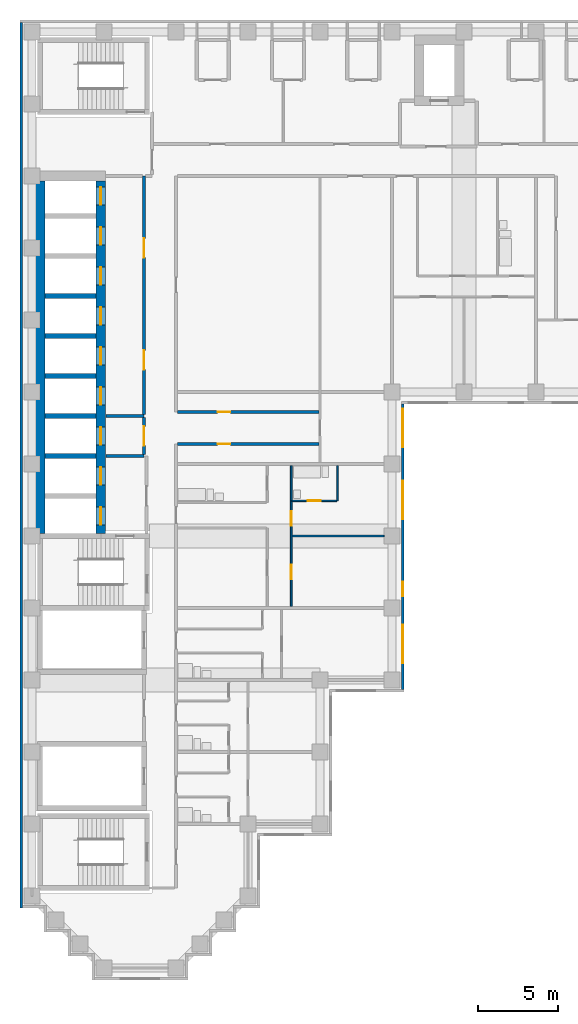
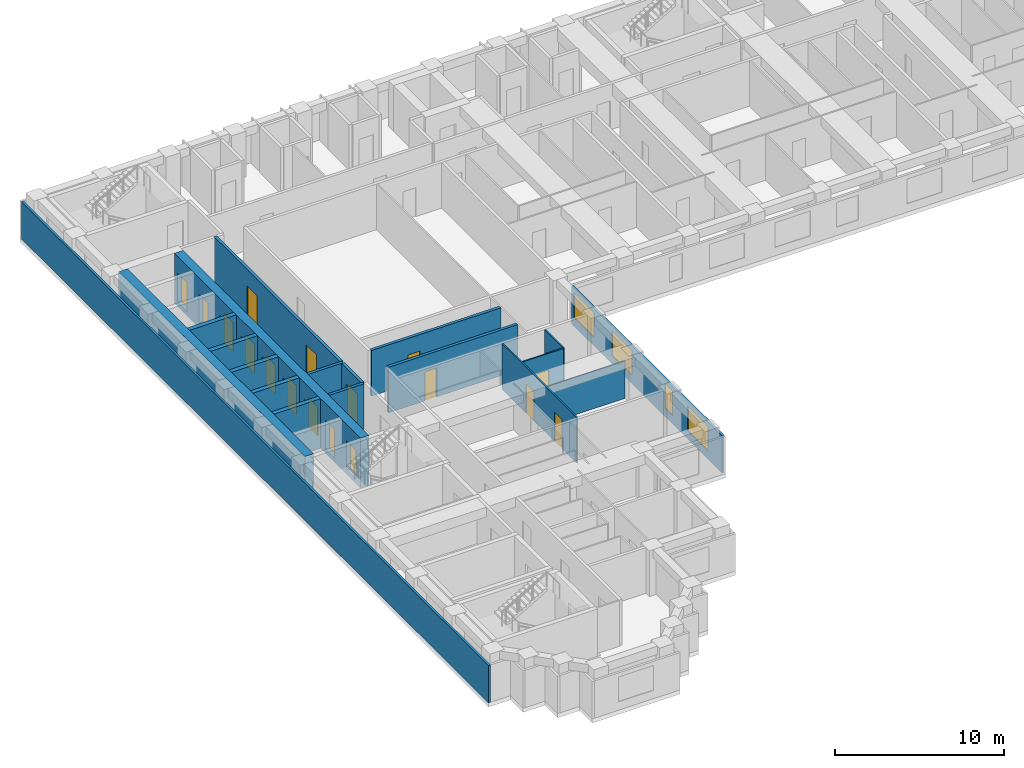
# One storey, part 4 of 12: 19 walls, 17 doors, 4 windows, 21 openings.
"""IFC4 building model written with IfcOpenShell, lengths in metres."""

from ifc_helpers import new_model, si_unit, direction, frame, frame_2d, origin, place, context, subcontext, project, spatial, rectangle, extrude, material, layer, layer_set, type_object, element, fill, save


model = new_model("IFC4")

# Units and contexts
model_context = context("Model", 3, precision=1e-05, world=origin(), true_north=direction((0.0, 1.0)))
body_context = subcontext(model_context, "Body", "Model", "MODEL_VIEW")
ifc_project = project(units=[si_unit("LENGTHUNIT", "METRE"), si_unit("AREAUNIT", "SQUARE_METRE"), si_unit("VOLUMEUNIT", "CUBIC_METRE"), si_unit("PLANEANGLEUNIT", "RADIAN"), si_unit("MASSUNIT", "GRAM", prefix="KILO")], contexts=[model_context])

# Site, building, storey
site_placement = place(None, origin())
site = spatial("IfcSite", under=ifc_project, at=site_placement, CompositionType="ELEMENT")
building_placement = place(site_placement, origin())
building = spatial("IfcBuilding", under=site, at=building_placement, Name="Firuza Court", CompositionType="ELEMENT")
storey_placement = place(building_placement, frame((0.0, 0.0, 148.39990234375)))
storey = spatial("IfcBuildingStorey", under=building, at=storey_placement, Name="L37", CompositionType="ELEMENT", Elevation=148.39990234375)

# Wall, opening, door
ifc_material_1 = material(Name="Moisture-resistant gypsum board partition")
ifc_layer_1 = layer(ifc_material_1, 0.10009765625)
ifc_layer_set_1 = layer_set([ifc_layer_1], Name="Moisture-resistant gypsum board partition")
wall_type_1 = type_object("IfcWallType", Name="Bathroom partition 100", PredefinedType="PLUMBINGWALL", material=ifc_layer_set_1)
wall_1_placement = place(storey_placement, frame((16.25, 29.199951171875, 0.0), z_axis=(0.0, 0.0, 1.0), x_axis=(1.0, 0.0, 0.0)))
wall_1 = element("IfcWall", 1, at=wall_1_placement, inside=storey, type_object=wall_type_1, Name="Bathroom partition 100 L37", PredefinedType="PLUMBINGWALL", context=body_context, shape_type="SweptSolid", body=[
    extrude(rectangle(XDim=2.800048828125, YDim=0.10009765625, at=frame_2d((1.39990234375, 0.0))), origin(), (0.0, 0.0, 1.0), 3.300048828125),
])
opening_1_placement = place(wall_1_placement, frame((1.0, 0.0, 0.0)))
opening_1 = element("IfcOpeningElement", 2, at=opening_1_placement, cuts=wall_1, Name="Opening D37037", PredefinedType="OPENING", context=body_context, shape_type="SweptSolid", body=[
    extrude(rectangle(XDim=0.800048828125, YDim=2.10009765625, at=frame_2d((0.39990234375, 1.050048828125))), frame((0.0, 0.06201171875, 0.0), z_axis=(0.0, -1.0, 0.0), x_axis=(1.0, 0.0, 0.0)), (0.0, 0.0, 1.0), 0.1240234375),
])
ifc_material_2 = material(Name="Timber door leaf in hardwood frame", Category="wood")
door_type_1 = type_object("IfcDoorType", Name="Bathroom door 800", OperationType="SINGLE_SWING_LEFT", PredefinedType="DOOR", material=ifc_material_2)
door_1_placement = place(opening_1_placement, origin())
door_1 = element("IfcDoor", 3, at=door_1_placement, inside=storey, type_object=door_type_1, Name="En-suite door", OperationType="SINGLE_SWING_LEFT", OverallHeight=2.10009765625, OverallWidth=0.800048828125, PredefinedType="DOOR", context=body_context, shape_type="SweptSolid", body=[
    extrude(rectangle(XDim=0.800048828125, YDim=2.10009765625, at=frame_2d((0.39990234375, 1.050048828125))), frame((0.0, 0.02490234375, 0.0), z_axis=(0.0, -1.0, 0.0), x_axis=(1.0, 0.0, 0.0)), (0.0, 0.0, 1.0), 0.050048828125),
])
fill(opening_1, door_1)

# Walls
wall_2_placement = place(storey_placement, frame((19.10009765625, 29.199951171875, 0.0), z_axis=(0.0, 0.0, 1.0), x_axis=(0.0, 1.0, 0.0)))
element("IfcWall", 4, at=wall_2_placement, inside=storey, type_object=wall_type_1, Name="Bathroom partition 100 L37", PredefinedType="PLUMBINGWALL", context=body_context, shape_type="SweptSolid", body=[
    extrude(rectangle(XDim=2.199951171875, YDim=0.10009765625, at=frame_2d((1.10009765625, 0.0))), origin(), (0.0, 0.0, 1.0), 3.300048828125),
])
ifc_material_3 = material(Name="Concrete C60/75", Category="concrete")
ifc_layer_2 = layer(ifc_material_3, 0.300048828125)
ifc_layer_set_2 = layer_set([ifc_layer_2], Name="Concrete C60/75")
wall_type_2 = type_object("IfcWallType", Name="Core wall 300 C60/75", PredefinedType="SHEAR", material=ifc_layer_set_2)
for number, where, z_axis, x_axis, name in (
    (5, (0.800048828125, 32.0, -0.2998046875), (0.0, 0.0, 1.0), (1.0, 0.0, 0.0), "Core wall lift shaft L37"),
    (6, (0.800048828125, 34.5, -0.2998046875), (0.0, 0.0, 1.0), (1.0, 0.0, 0.0), "Core wall lift shaft L37"),
    (7, (0.800048828125, 37.0, -0.2998046875), (0.0, 0.0, 1.0), (1.0, 0.0, 0.0), "Core wall lift shaft L37"),
    (8, (0.800048828125, 39.5, -0.2998046875), (0.0, 0.0, 1.0), (1.0, 0.0, 0.0), "Core wall lift shaft L37"),
    (9, (0.800048828125, 42.0, -0.2998046875), (0.0, 0.0, 1.0), (1.0, 0.0, 0.0), "Core wall lift shaft L37"),
):
    element("IfcWall", number, at=place(storey_placement, frame(where, z_axis=z_axis, x_axis=x_axis)), inside=storey, type_object=wall_type_2, Name=name, PredefinedType="SHEAR", context=body_context, shape_type="SweptSolid", body=[
        extrude(rectangle(XDim=3.199951171875, YDim=0.300048828125, at=frame_2d((1.60009765625, 0.0))), origin(), (0.0, 0.0, 1.0), 3.599853515625),
    ])
ifc_layer_3 = layer(ifc_material_3, 0.60009765625)
ifc_layer_set_3 = layer_set([ifc_layer_3], Name="Concrete C60/75")
wall_type_3 = type_object("IfcWallType", Name="Core wall 600 C60/75", PredefinedType="SHEAR", material=ifc_layer_set_3)
wall_3_placement = place(storey_placement, frame((0.5, 27.14990234375, -0.2998046875), z_axis=(0.0, 0.0, 1.0), x_axis=(0.0, 1.0, 0.0)))
element("IfcWall", 10, at=wall_3_placement, inside=storey, type_object=wall_type_3, Name="Core wall lift shaft L37", PredefinedType="SHEAR", context=body_context, shape_type="SweptSolid", body=[
    extrude(rectangle(XDim=22.050048828125, YDim=0.60009765625, at=frame_2d((11.02490234375, 0.0))), origin(), (0.0, 0.0, 1.0), 3.599853515625),
])

# Wall, openings, doors
wall_4_placement = place(storey_placement, frame((4.300048828125, 27.14990234375, -0.2998046875), z_axis=(0.0, 0.0, 1.0), x_axis=(0.0, 1.0, 0.0)))
wall_4 = element("IfcWall", 11, at=wall_4_placement, inside=storey, type_object=wall_type_3, Name="Core wall lift shaft L37", PredefinedType="SHEAR", context=body_context, shape_type="SweptSolid", body=[
    extrude(rectangle(XDim=22.050048828125, YDim=0.60009765625, at=frame_2d((11.02490234375, 0.0))), origin(), (0.0, 0.0, 1.0), 3.599853515625),
])
opening_2_placement = place(wall_4_placement, frame((3.050048828125, 0.0, 0.300048828125)))
opening_2 = element("IfcOpeningElement", 12, at=opening_2_placement, cuts=wall_4, Name="Opening LD-FL1-37", PredefinedType="OPENING", context=body_context, shape_type="SweptSolid", body=[
    extrude(rectangle(XDim=1.10009765625, YDim=2.10009765625, at=frame_2d((0.550048828125, 1.050048828125))), frame((0.0, 0.31201171875, 0.0), z_axis=(0.0, -1.0, 0.0), x_axis=(1.0, 0.0, 0.0)), (0.0, 0.0, 1.0), 0.6240234375),
])
opening_3_placement = place(wall_4_placement, frame((0.550048828125, 0.0, 0.300048828125)))
opening_3 = element("IfcOpeningElement", 13, at=opening_3_placement, cuts=wall_4, Name="Opening LD-FL2-37", PredefinedType="OPENING", context=body_context, shape_type="SweptSolid", body=[
    extrude(rectangle(XDim=1.10009765625, YDim=2.10009765625, at=frame_2d((0.550048828125, 1.050048828125))), frame((0.0, 0.31201171875, 0.0), z_axis=(0.0, -1.0, 0.0), x_axis=(1.0, 0.0, 0.0)), (0.0, 0.0, 1.0), 0.6240234375),
])
opening_4_placement = place(wall_4_placement, frame((20.550048828125, 0.0, 0.300048828125)))
opening_4 = element("IfcOpeningElement", 14, at=opening_4_placement, cuts=wall_4, Name="Opening LD-HB1-37", PredefinedType="OPENING", context=body_context, shape_type="SweptSolid", body=[
    extrude(rectangle(XDim=1.10009765625, YDim=2.10009765625, at=frame_2d((0.550048828125, 1.050048828125))), frame((0.0, 0.31201171875, 0.0), z_axis=(0.0, -1.0, 0.0), x_axis=(1.0, 0.0, 0.0)), (0.0, 0.0, 1.0), 0.6240234375),
])
opening_5_placement = place(wall_4_placement, frame((18.050048828125, 0.0, 0.300048828125)))
opening_5 = element("IfcOpeningElement", 15, at=opening_5_placement, cuts=wall_4, Name="Opening LD-HB2-37", PredefinedType="OPENING", context=body_context, shape_type="SweptSolid", body=[
    extrude(rectangle(XDim=1.10009765625, YDim=2.10009765625, at=frame_2d((0.550048828125, 1.050048828125))), frame((0.0, 0.31201171875, 0.0), z_axis=(0.0, -1.0, 0.0), x_axis=(1.0, 0.0, 0.0)), (0.0, 0.0, 1.0), 0.6240234375),
])
opening_6_placement = place(wall_4_placement, frame((15.550048828125, 0.0, 0.300048828125)))
opening_6 = element("IfcOpeningElement", 16, at=opening_6_placement, cuts=wall_4, Name="Opening LD-HB3-37", PredefinedType="OPENING", context=body_context, shape_type="SweptSolid", body=[
    extrude(rectangle(XDim=1.10009765625, YDim=2.10009765625, at=frame_2d((0.550048828125, 1.050048828125))), frame((0.0, 0.31201171875, 0.0), z_axis=(0.0, -1.0, 0.0), x_axis=(1.0, 0.0, 0.0)), (0.0, 0.0, 1.0), 0.6240234375),
])
opening_7_placement = place(wall_4_placement, frame((13.050048828125, 0.0, 0.300048828125)))
opening_7 = element("IfcOpeningElement", 17, at=opening_7_placement, cuts=wall_4, Name="Opening LD-HB4-37", PredefinedType="OPENING", context=body_context, shape_type="SweptSolid", body=[
    extrude(rectangle(XDim=1.10009765625, YDim=2.10009765625, at=frame_2d((0.550048828125, 1.050048828125))), frame((0.0, 0.31201171875, 0.0), z_axis=(0.0, -1.0, 0.0), x_axis=(1.0, 0.0, 0.0)), (0.0, 0.0, 1.0), 0.6240234375),
])
opening_8_placement = place(wall_4_placement, frame((10.550048828125, 0.0, 0.300048828125)))
opening_8 = element("IfcOpeningElement", 18, at=opening_8_placement, cuts=wall_4, Name="Opening LD-HB5-37", PredefinedType="OPENING", context=body_context, shape_type="SweptSolid", body=[
    extrude(rectangle(XDim=1.10009765625, YDim=2.10009765625, at=frame_2d((0.550048828125, 1.050048828125))), frame((0.0, 0.31201171875, 0.0), z_axis=(0.0, -1.0, 0.0), x_axis=(1.0, 0.0, 0.0)), (0.0, 0.0, 1.0), 0.6240234375),
])
opening_9_placement = place(wall_4_placement, frame((8.050048828125, 0.0, 0.300048828125)))
opening_9 = element("IfcOpeningElement", 19, at=opening_9_placement, cuts=wall_4, Name="Opening LD-HB6-37", PredefinedType="OPENING", context=body_context, shape_type="SweptSolid", body=[
    extrude(rectangle(XDim=1.10009765625, YDim=2.10009765625, at=frame_2d((0.550048828125, 1.050048828125))), frame((0.0, 0.31201171875, 0.0), z_axis=(0.0, -1.0, 0.0), x_axis=(1.0, 0.0, 0.0)), (0.0, 0.0, 1.0), 0.6240234375),
])
opening_10_placement = place(wall_4_placement, frame((5.550048828125, 0.0, 0.300048828125)))
opening_10 = element("IfcOpeningElement", 20, at=opening_10_placement, cuts=wall_4, Name="Opening LD-SL1-37", PredefinedType="OPENING", context=body_context, shape_type="SweptSolid", body=[
    extrude(rectangle(XDim=1.10009765625, YDim=2.10009765625, at=frame_2d((0.550048828125, 1.050048828125))), frame((0.0, 0.31201171875, 0.0), z_axis=(0.0, -1.0, 0.0), x_axis=(1.0, 0.0, 0.0)), (0.0, 0.0, 1.0), 0.6240234375),
])
ifc_material_4 = material(Name="Stainless steel 1.4301 door leaf", Category="steel")
door_type_2 = type_object("IfcDoorType", Name="Lift landing door 1100", OperationType="SLIDING_TO_LEFT", PredefinedType="DOOR", material=ifc_material_4)
door_2_placement = place(opening_2_placement, origin())
door_2 = element("IfcDoor", 21, at=door_2_placement, inside=storey, type_object=door_type_2, Name="Landing door FL1", OperationType="SLIDING_TO_LEFT", OverallHeight=2.10009765625, OverallWidth=1.10009765625, PredefinedType="DOOR", context=body_context, shape_type="SweptSolid", body=[
    extrude(rectangle(XDim=1.10009765625, YDim=2.10009765625, at=frame_2d((0.550048828125, 1.050048828125))), frame((0.0, 0.02490234375, 0.0), z_axis=(0.0, -1.0, 0.0), x_axis=(1.0, 0.0, 0.0)), (0.0, 0.0, 1.0), 0.050048828125),
])
fill(opening_2, door_2)
door_3_placement = place(opening_3_placement, origin())
door_3 = element("IfcDoor", 22, at=door_3_placement, inside=storey, type_object=door_type_2, Name="Landing door FL2", OperationType="SLIDING_TO_LEFT", OverallHeight=2.10009765625, OverallWidth=1.10009765625, PredefinedType="DOOR", context=body_context, shape_type="SweptSolid", body=[
    extrude(rectangle(XDim=1.10009765625, YDim=2.10009765625, at=frame_2d((0.550048828125, 1.050048828125))), frame((0.0, 0.02490234375, 0.0), z_axis=(0.0, -1.0, 0.0), x_axis=(1.0, 0.0, 0.0)), (0.0, 0.0, 1.0), 0.050048828125),
])
fill(opening_3, door_3)
door_4_placement = place(opening_4_placement, origin())
door_4 = element("IfcDoor", 23, at=door_4_placement, inside=storey, type_object=door_type_2, Name="Landing door HB1", OperationType="SLIDING_TO_LEFT", OverallHeight=2.10009765625, OverallWidth=1.10009765625, PredefinedType="DOOR", context=body_context, shape_type="SweptSolid", body=[
    extrude(rectangle(XDim=1.10009765625, YDim=2.10009765625, at=frame_2d((0.550048828125, 1.050048828125))), frame((0.0, 0.02490234375, 0.0), z_axis=(0.0, -1.0, 0.0), x_axis=(1.0, 0.0, 0.0)), (0.0, 0.0, 1.0), 0.050048828125),
])
fill(opening_4, door_4)
door_5_placement = place(opening_5_placement, origin())
door_5 = element("IfcDoor", 24, at=door_5_placement, inside=storey, type_object=door_type_2, Name="Landing door HB2", OperationType="SLIDING_TO_LEFT", OverallHeight=2.10009765625, OverallWidth=1.10009765625, PredefinedType="DOOR", context=body_context, shape_type="SweptSolid", body=[
    extrude(rectangle(XDim=1.10009765625, YDim=2.10009765625, at=frame_2d((0.550048828125, 1.050048828125))), frame((0.0, 0.02490234375, 0.0), z_axis=(0.0, -1.0, 0.0), x_axis=(1.0, 0.0, 0.0)), (0.0, 0.0, 1.0), 0.050048828125),
])
fill(opening_5, door_5)
door_6_placement = place(opening_6_placement, origin())
door_6 = element("IfcDoor", 25, at=door_6_placement, inside=storey, type_object=door_type_2, Name="Landing door HB3", OperationType="SLIDING_TO_LEFT", OverallHeight=2.10009765625, OverallWidth=1.10009765625, PredefinedType="DOOR", context=body_context, shape_type="SweptSolid", body=[
    extrude(rectangle(XDim=1.10009765625, YDim=2.10009765625, at=frame_2d((0.550048828125, 1.050048828125))), frame((0.0, 0.02490234375, 0.0), z_axis=(0.0, -1.0, 0.0), x_axis=(1.0, 0.0, 0.0)), (0.0, 0.0, 1.0), 0.050048828125),
])
fill(opening_6, door_6)
door_7_placement = place(opening_7_placement, origin())
door_7 = element("IfcDoor", 26, at=door_7_placement, inside=storey, type_object=door_type_2, Name="Landing door HB4", OperationType="SLIDING_TO_LEFT", OverallHeight=2.10009765625, OverallWidth=1.10009765625, PredefinedType="DOOR", context=body_context, shape_type="SweptSolid", body=[
    extrude(rectangle(XDim=1.10009765625, YDim=2.10009765625, at=frame_2d((0.550048828125, 1.050048828125))), frame((0.0, 0.02490234375, 0.0), z_axis=(0.0, -1.0, 0.0), x_axis=(1.0, 0.0, 0.0)), (0.0, 0.0, 1.0), 0.050048828125),
])
fill(opening_7, door_7)
door_8_placement = place(opening_8_placement, origin())
door_8 = element("IfcDoor", 27, at=door_8_placement, inside=storey, type_object=door_type_2, Name="Landing door HB5", OperationType="SLIDING_TO_LEFT", OverallHeight=2.10009765625, OverallWidth=1.10009765625, PredefinedType="DOOR", context=body_context, shape_type="SweptSolid", body=[
    extrude(rectangle(XDim=1.10009765625, YDim=2.10009765625, at=frame_2d((0.550048828125, 1.050048828125))), frame((0.0, 0.02490234375, 0.0), z_axis=(0.0, -1.0, 0.0), x_axis=(1.0, 0.0, 0.0)), (0.0, 0.0, 1.0), 0.050048828125),
])
fill(opening_8, door_8)
door_9_placement = place(opening_9_placement, origin())
door_9 = element("IfcDoor", 28, at=door_9_placement, inside=storey, type_object=door_type_2, Name="Landing door HB6", OperationType="SLIDING_TO_LEFT", OverallHeight=2.10009765625, OverallWidth=1.10009765625, PredefinedType="DOOR", context=body_context, shape_type="SweptSolid", body=[
    extrude(rectangle(XDim=1.10009765625, YDim=2.10009765625, at=frame_2d((0.550048828125, 1.050048828125))), frame((0.0, 0.02490234375, 0.0), z_axis=(0.0, -1.0, 0.0), x_axis=(1.0, 0.0, 0.0)), (0.0, 0.0, 1.0), 0.050048828125),
])
fill(opening_9, door_9)
door_10_placement = place(opening_10_placement, origin())
door_10 = element("IfcDoor", 29, at=door_10_placement, inside=storey, type_object=door_type_2, Name="Landing door SL1", OperationType="SLIDING_TO_LEFT", OverallHeight=2.10009765625, OverallWidth=1.10009765625, PredefinedType="DOOR", context=body_context, shape_type="SweptSolid", body=[
    extrude(rectangle(XDim=1.10009765625, YDim=2.10009765625, at=frame_2d((0.550048828125, 1.050048828125))), frame((0.0, 0.02490234375, 0.0), z_axis=(0.0, -1.0, 0.0), x_axis=(1.0, 0.0, 0.0)), (0.0, 0.0, 1.0), 0.050048828125),
])
fill(opening_10, door_10)

# Wall, opening, door
ifc_material_5 = material(Name="Blockwork, plastered both sides", Category="masonry")
ifc_layer_4 = layer(ifc_material_5, 0.199951171875)
ifc_layer_set_4 = layer_set([ifc_layer_4], Name="Blockwork, plastered both sides")
wall_type_4 = type_object("IfcWallType", Name="Corridor wall 200", PredefinedType="PARTITIONING", material=ifc_layer_set_4)
wall_5_placement = place(storey_placement, frame((9.10009765625, 32.75, 0.0), z_axis=(0.0, 0.0, 1.0), x_axis=(1.0, 0.0, 0.0)))
wall_5 = element("IfcWall", 30, at=wall_5_placement, inside=storey, type_object=wall_type_4, Name="Corridor wall 200 L37", PredefinedType="PARTITIONING", context=body_context, shape_type="SweptSolid", body=[
    extrude(rectangle(XDim=8.849853515625, YDim=0.199951171875, at=frame_2d((4.4248046875, 0.0))), origin(), (0.0, 0.0, 1.0), 3.300048828125),
])
opening_11_placement = place(wall_5_placement, frame((2.5, 0.0, 0.0)))
opening_11 = element("IfcOpeningElement", 31, at=opening_11_placement, cuts=wall_5, Name="Opening D37039", PredefinedType="OPENING", context=body_context, shape_type="SweptSolid", body=[
    extrude(rectangle(XDim=0.800048828125, YDim=2.10009765625, at=frame_2d((0.39990234375, 1.050048828125))), frame((0.0, 0.11181640625, 0.0), z_axis=(0.0, -1.0, 0.0), x_axis=(1.0, 0.0, 0.0)), (0.0, 0.0, 1.0), 0.223876953125),
])
ifc_material_6 = material(Name="Timber door leaf in hardwood frame", Category="wood")
door_type_3 = type_object("IfcDoorType", Name="Room door 800 EI 30", OperationType="SINGLE_SWING_LEFT", PredefinedType="DOOR", material=ifc_material_6)
door_11_placement = place(opening_11_placement, frame((0.800048828125, 0.0, 0.0), z_axis=(0.0, 0.0, 1.0), x_axis=(-1.0, 0.0, 0.0)))
door_11 = element("IfcDoor", 32, at=door_11_placement, inside=storey, type_object=door_type_3, Name="Store door", OperationType="SINGLE_SWING_RIGHT", OverallHeight=2.10009765625, OverallWidth=0.800048828125, PredefinedType="DOOR", context=body_context, shape_type="SweptSolid", body=[
    extrude(rectangle(XDim=0.800048828125, YDim=2.10009765625, at=frame_2d((0.39990234375, 1.050048828125))), frame((0.0, 0.02490234375, 0.0), z_axis=(0.0, -1.0, 0.0), x_axis=(1.0, 0.0, 0.0)), (0.0, 0.0, 1.0), 0.050048828125),
])
fill(opening_11, door_11)

wall_6_placement = place(storey_placement, frame((9.10009765625, 34.75, 0.0), z_axis=(0.0, 0.0, 1.0), x_axis=(1.0, 0.0, 0.0)))
wall_6 = element("IfcWall", 33, at=wall_6_placement, inside=storey, type_object=wall_type_4, Name="Corridor wall 200 L37", PredefinedType="PARTITIONING", context=body_context, shape_type="SweptSolid", body=[
    extrude(rectangle(XDim=8.849853515625, YDim=0.199951171875, at=frame_2d((4.4248046875, 0.0))), origin(), (0.0, 0.0, 1.0), 3.300048828125),
])
opening_12_placement = place(wall_6_placement, frame((2.5, 0.0, 0.0)))
opening_12 = element("IfcOpeningElement", 34, at=opening_12_placement, cuts=wall_6, Name="Opening D37041", PredefinedType="OPENING", context=body_context, shape_type="SweptSolid", body=[
    extrude(rectangle(XDim=0.800048828125, YDim=2.10009765625, at=frame_2d((0.39990234375, 1.050048828125))), frame((0.0, 0.11181640625, 0.0), z_axis=(0.0, -1.0, 0.0), x_axis=(1.0, 0.0, 0.0)), (0.0, 0.0, 1.0), 0.223876953125),
])
door_12_placement = place(opening_12_placement, origin())
door_12 = element("IfcDoor", 35, at=door_12_placement, inside=storey, type_object=door_type_3, Name="Store door", OperationType="SINGLE_SWING_LEFT", OverallHeight=2.10009765625, OverallWidth=0.800048828125, PredefinedType="DOOR", context=body_context, shape_type="SweptSolid", body=[
    extrude(rectangle(XDim=0.800048828125, YDim=2.10009765625, at=frame_2d((0.39990234375, 1.050048828125))), frame((0.0, 0.02490234375, 0.0), z_axis=(0.0, -1.0, 0.0), x_axis=(1.0, 0.0, 0.0)), (0.0, 0.0, 1.0), 0.050048828125),
])
fill(opening_12, door_12)

# Wall, openings, doors
ifc_material_7 = material(Name="Timber stud partition, plasterboard both sides", Category="wood")
ifc_layer_5 = layer(ifc_material_7, 0.10009765625)
ifc_layer_set_5 = layer_set([ifc_layer_5], Name="Timber stud partition, plasterboard both sides")
wall_type_5 = type_object("IfcWallType", Name="Partition wall 100", PredefinedType="PARTITIONING", material=ifc_layer_set_5)
wall_7_placement = place(storey_placement, frame((16.199951171875, 22.60009765625, 0.0), z_axis=(0.0, 0.0, 1.0), x_axis=(0.0, 1.0, 0.0)))
wall_7 = element("IfcWall", 36, at=wall_7_placement, inside=storey, type_object=wall_type_5, Name="Partition wall 100 L37", PredefinedType="PARTITIONING", context=body_context, shape_type="SweptSolid", body=[
    extrude(rectangle(XDim=8.7998046875, YDim=0.10009765625, at=frame_2d((4.39990234375, 0.0))), origin(), (0.0, 0.0, 1.0), 3.300048828125),
])
opening_13_placement = place(wall_7_placement, frame((1.699951171875, 0.0, 0.0)))
opening_13 = element("IfcOpeningElement", 37, at=opening_13_placement, cuts=wall_7, Name="Opening D37034", PredefinedType="OPENING", context=body_context, shape_type="SweptSolid", body=[
    extrude(rectangle(XDim=0.89990234375, YDim=2.10009765625, at=frame_2d((0.449951171875, 1.050048828125))), frame((0.0, 0.06201171875, 0.0), z_axis=(0.0, -1.0, 0.0), x_axis=(1.0, 0.0, 0.0)), (0.0, 0.0, 1.0), 0.1240234375),
])
opening_14_placement = place(wall_7_placement, frame((5.050048828125, 0.0, 0.0)))
opening_14 = element("IfcOpeningElement", 38, at=opening_14_placement, cuts=wall_7, Name="Opening D37035", PredefinedType="OPENING", context=body_context, shape_type="SweptSolid", body=[
    extrude(rectangle(XDim=0.89990234375, YDim=2.10009765625, at=frame_2d((0.449951171875, 1.050048828125))), frame((0.0, 0.06201171875, 0.0), z_axis=(0.0, -1.0, 0.0), x_axis=(1.0, 0.0, 0.0)), (0.0, 0.0, 1.0), 0.1240234375),
])
ifc_material_8 = material(Name="Timber door leaf in hardwood frame", Category="wood")
door_type_4 = type_object("IfcDoorType", Name="Room door 900", OperationType="SINGLE_SWING_LEFT", PredefinedType="DOOR", material=ifc_material_8)
door_13_placement = place(opening_13_placement, frame((0.89990234375, 0.0, 0.0), z_axis=(0.0, 0.0, 1.0), x_axis=(-1.0, 0.0, 0.0)))
door_13 = element("IfcDoor", 39, at=door_13_placement, inside=storey, type_object=door_type_4, Name="Living room door", OperationType="SINGLE_SWING_RIGHT", OverallHeight=2.10009765625, OverallWidth=0.89990234375, PredefinedType="DOOR", context=body_context, shape_type="SweptSolid", body=[
    extrude(rectangle(XDim=0.89990234375, YDim=2.10009765625, at=frame_2d((0.449951171875, 1.050048828125))), frame((0.0, 0.02490234375, 0.0), z_axis=(0.0, -1.0, 0.0), x_axis=(1.0, 0.0, 0.0)), (0.0, 0.0, 1.0), 0.050048828125),
])
fill(opening_13, door_13)
door_14_placement = place(opening_14_placement, frame((0.89990234375, 0.0, 0.0), z_axis=(0.0, 0.0, 1.0), x_axis=(-1.0, 0.0, 0.0)))
door_14 = element("IfcDoor", 40, at=door_14_placement, inside=storey, type_object=door_type_4, Name="Bedroom door", OperationType="SINGLE_SWING_RIGHT", OverallHeight=2.10009765625, OverallWidth=0.89990234375, PredefinedType="DOOR", context=body_context, shape_type="SweptSolid", body=[
    extrude(rectangle(XDim=0.89990234375, YDim=2.10009765625, at=frame_2d((0.449951171875, 1.050048828125))), frame((0.0, 0.02490234375, 0.0), z_axis=(0.0, -1.0, 0.0), x_axis=(1.0, 0.0, 0.0)), (0.0, 0.0, 1.0), 0.050048828125),
])
fill(opening_14, door_14)

# Wall
wall_8_placement = place(storey_placement, frame((16.25, 27.0, 0.0), z_axis=(0.0, 0.0, 1.0), x_axis=(1.0, 0.0, 0.0)))
element("IfcWall", 41, at=wall_8_placement, inside=storey, type_object=wall_type_5, Name="Partition wall 100 L37", PredefinedType="PARTITIONING", context=body_context, shape_type="SweptSolid", body=[
    extrude(rectangle(XDim=5.75, YDim=0.10009765625, at=frame_2d((2.875, 0.0))), origin(), (0.0, 0.0, 1.0), 2.7001953125),
])

# Wall, openings, windows
ifc_material_9 = material(Name="Ceramic tile", Category="ceramic")
ifc_layer_6 = layer(ifc_material_9, 0.02001953125)
ifc_material_10 = material(Name="Mineral wool insulation", Category="insulation")
ifc_layer_7 = layer(ifc_material_10, 0.050048828125)
ifc_material_11 = material(Name="Concrete C40/50 precast", Category="concrete")
ifc_layer_8 = layer(ifc_material_11, 0.080078125)
ifc_layer_set_6 = layer_set([ifc_layer_6, ifc_layer_7, ifc_layer_8], Name="Concrete C40/50 precast")
wall_type_6 = type_object("IfcWallType", Name="Precast cladding wall with turquoise TILE PANEL face 150", PredefinedType="STANDARD", material=ifc_layer_set_6)
wall_9_placement = place(storey_placement, frame((23.175048828125, 17.39990234375, 0.0), z_axis=(0.0, 0.0, 1.0), x_axis=(0.0, 1.0, 0.0)))
wall_9 = element("IfcWall", 42, at=wall_9_placement, inside=storey, type_object=wall_type_6, Name="Facade wall L37 E", PredefinedType="STANDARD", context=body_context, shape_type="SweptSolid", body=[
    extrude(rectangle(XDim=17.85009765625, YDim=0.14990234375, at=frame_2d((8.925048828125, 0.0))), origin(), (0.0, 0.0, 1.0), 2.7001953125),
])
opening_15_placement = place(wall_9_placement, frame((1.64990234375, 0.0, 0.60009765625)))
opening_15 = element("IfcOpeningElement", 43, at=opening_15_placement, cuts=wall_9, Name="Opening W1", PredefinedType="OPENING", context=body_context, shape_type="SweptSolid", body=[
    extrude(rectangle(XDim=2.39990234375, YDim=1.800048828125, at=frame_2d((1.199951171875, 0.89990234375))), frame((0.0, 0.0869140625, 0.0), z_axis=(0.0, -1.0, 0.0), x_axis=(1.0, 0.0, 0.0)), (0.0, 0.0, 1.0), 0.173828125),
])
opening_16_placement = place(wall_9_placement, frame((5.84765625, 0.0, 0.60009765625)))
opening_16 = element("IfcOpeningElement", 44, at=opening_16_placement, cuts=wall_9, Name="Opening W3", PredefinedType="OPENING", context=body_context, shape_type="SweptSolid", body=[
    extrude(rectangle(XDim=0.89990234375, YDim=1.800048828125, at=frame_2d((0.449951171875, 0.89990234375))), frame((0.0, 0.0869140625, 0.0), z_axis=(0.0, -1.0, 0.0), x_axis=(1.0, 0.0, 0.0)), (0.0, 0.0, 1.0), 0.173828125),
])
opening_17_placement = place(wall_9_placement, frame((10.64990234375, 0.0, 0.60009765625)))
opening_17 = element("IfcOpeningElement", 45, at=opening_17_placement, cuts=wall_9, Name="Opening W1", PredefinedType="OPENING", context=body_context, shape_type="SweptSolid", body=[
    extrude(rectangle(XDim=2.39990234375, YDim=1.800048828125, at=frame_2d((1.199951171875, 0.89990234375))), frame((0.0, 0.0869140625, 0.0), z_axis=(0.0, -1.0, 0.0), x_axis=(1.0, 0.0, 0.0)), (0.0, 0.0, 1.0), 0.173828125),
])
opening_18_placement = place(wall_9_placement, frame((15.14990234375, 0.0, 0.60009765625)))
opening_18 = element("IfcOpeningElement", 46, at=opening_18_placement, cuts=wall_9, Name="Opening W1", PredefinedType="OPENING", context=body_context, shape_type="SweptSolid", body=[
    extrude(rectangle(XDim=2.39990234375, YDim=1.800048828125, at=frame_2d((1.199951171875, 0.89990234375))), frame((0.0, 0.0869140625, 0.0), z_axis=(0.0, -1.0, 0.0), x_axis=(1.0, 0.0, 0.0)), (0.0, 0.0, 1.0), 0.173828125),
])
ifc_material_12 = material(Name="Aluminium frame, triple clear glazing", Category="aluminium")
window_type_1 = type_object("IfcWindowType", Name="Window W1 2400 x 1800", PartitioningType="SINGLE_PANEL", PredefinedType="WINDOW", material=ifc_material_12)
window_1_placement = place(opening_15_placement, origin())
window_1 = element("IfcWindow", 47, at=window_1_placement, inside=storey, type_object=window_type_1, Name="Window L37", OverallHeight=1.800048828125, OverallWidth=2.39990234375, PartitioningType="SINGLE_PANEL", PredefinedType="WINDOW", context=body_context, shape_type="SweptSolid", body=[
    extrude(rectangle(XDim=2.39990234375, YDim=1.800048828125, at=frame_2d((1.199951171875, 0.89990234375))), frame((0.0, 0.030029296875, 0.0), z_axis=(0.0, -1.0, 0.0), x_axis=(1.0, 0.0, 0.0)), (0.0, 0.0, 1.0), 0.06005859375),
])
fill(opening_15, window_1)
window_2_placement = place(opening_17_placement, origin())
window_2 = element("IfcWindow", 48, at=window_2_placement, inside=storey, type_object=window_type_1, Name="Window L37", OverallHeight=1.800048828125, OverallWidth=2.39990234375, PartitioningType="SINGLE_PANEL", PredefinedType="WINDOW", context=body_context, shape_type="SweptSolid", body=[
    extrude(rectangle(XDim=2.39990234375, YDim=1.800048828125, at=frame_2d((1.199951171875, 0.89990234375))), frame((0.0, 0.030029296875, 0.0), z_axis=(0.0, -1.0, 0.0), x_axis=(1.0, 0.0, 0.0)), (0.0, 0.0, 1.0), 0.06005859375),
])
fill(opening_17, window_2)
window_3_placement = place(opening_18_placement, origin())
window_3 = element("IfcWindow", 49, at=window_3_placement, inside=storey, type_object=window_type_1, Name="Window L37", OverallHeight=1.800048828125, OverallWidth=2.39990234375, PartitioningType="SINGLE_PANEL", PredefinedType="WINDOW", context=body_context, shape_type="SweptSolid", body=[
    extrude(rectangle(XDim=2.39990234375, YDim=1.800048828125, at=frame_2d((1.199951171875, 0.89990234375))), frame((0.0, 0.030029296875, 0.0), z_axis=(0.0, -1.0, 0.0), x_axis=(1.0, 0.0, 0.0)), (0.0, 0.0, 1.0), 0.06005859375),
])
fill(opening_18, window_3)
ifc_material_13 = material(Name="Aluminium frame, triple clear glazing", Category="aluminium")
window_type_2 = type_object("IfcWindowType", Name="Window W3 900 x 1800", PartitioningType="SINGLE_PANEL", PredefinedType="WINDOW", material=ifc_material_13)
window_4_placement = place(opening_16_placement, origin())
window_4 = element("IfcWindow", 50, at=window_4_placement, inside=storey, type_object=window_type_2, Name="Window L37", OverallHeight=1.800048828125, OverallWidth=0.89990234375, PartitioningType="SINGLE_PANEL", PredefinedType="WINDOW", context=body_context, shape_type="SweptSolid", body=[
    extrude(rectangle(XDim=0.89990234375, YDim=1.800048828125, at=frame_2d((0.449951171875, 0.89990234375))), frame((0.0, 0.030029296875, 0.0), z_axis=(0.0, -1.0, 0.0), x_axis=(1.0, 0.0, 0.0)), (0.0, 0.0, 1.0), 0.06005859375),
])
fill(opening_16, window_4)

# Walls
wall_10_placement = place(storey_placement, frame((-0.675048828125, 59.10009765625, 0.0), z_axis=(0.0, 0.0, 1.0), x_axis=(0.0, -1.0, 0.0)))
element("IfcWall", 51, at=wall_10_placement, inside=storey, type_object=wall_type_6, Name="Facade wall L37 W", PredefinedType="STANDARD", context=body_context, shape_type="SweptSolid", body=[
    extrude(rectangle(XDim=55.35009765625, YDim=0.14990234375, at=frame_2d((27.675048828125, 0.0))), origin(), (0.0, 0.0, 1.0), 2.7001953125),
])
ifc_material_14 = material(Name="Blockwork, fire-rated", Category="masonry")
ifc_layer_9 = layer(ifc_material_14, 0.199951171875)
ifc_layer_set_7 = layer_set([ifc_layer_9], Name="Blockwork, fire-rated")
wall_type_7 = type_object("IfcWallType", Name="Shaft wall 200", PredefinedType="PARTITIONING", material=ifc_layer_set_7)
wall_11_placement = place(storey_placement, frame((4.6201171875, 34.5, 0.0), z_axis=(0.0, 0.0, 1.0), x_axis=(1.0, 0.0, 0.0)))
element("IfcWall", 52, at=wall_11_placement, inside=storey, type_object=wall_type_7, Name="Shaft wall 200 L37", PredefinedType="PARTITIONING", context=body_context, shape_type="SweptSolid", body=[
    extrude(rectangle(XDim=2.3798828125, YDim=0.199951171875, at=frame_2d((1.18994140625, 0.0))), origin(), (0.0, 0.0, 1.0), 3.300048828125),
])

# Wall, openings, doors
wall_12_placement = place(storey_placement, frame((7.0, 34.60009765625, 0.0), z_axis=(0.0, 0.0, 1.0), x_axis=(0.0, 1.0, 0.0)))
wall_12 = element("IfcWall", 53, at=wall_12_placement, inside=storey, type_object=wall_type_7, Name="Shaft wall 200 L37", PredefinedType="PARTITIONING", context=body_context, shape_type="SweptSolid", body=[
    extrude(rectangle(XDim=14.89990234375, YDim=0.199951171875, at=frame_2d((7.449951171875, 0.0))), origin(), (0.0, 0.0, 1.0), 3.300048828125),
])
opening_19_placement = place(wall_12_placement, frame((2.800048828125, 0.0, 0.0)))
opening_19 = element("IfcOpeningElement", 54, at=opening_19_placement, cuts=wall_12, Name="Opening D37004", PredefinedType="OPENING", context=body_context, shape_type="SweptSolid", body=[
    extrude(rectangle(XDim=1.199951171875, YDim=2.10009765625, at=frame_2d((0.60009765625, 1.050048828125))), frame((0.0, 0.11181640625, 0.0), z_axis=(0.0, -1.0, 0.0), x_axis=(1.0, 0.0, 0.0)), (0.0, 0.0, 1.0), 0.223876953125),
])
opening_20_placement = place(wall_12_placement, frame((9.800048828125, 0.0, 0.0)))
opening_20 = element("IfcOpeningElement", 55, at=opening_20_placement, cuts=wall_12, Name="Opening D37005", PredefinedType="OPENING", context=body_context, shape_type="SweptSolid", body=[
    extrude(rectangle(XDim=1.199951171875, YDim=2.10009765625, at=frame_2d((0.60009765625, 1.050048828125))), frame((0.0, 0.11181640625, 0.0), z_axis=(0.0, -1.0, 0.0), x_axis=(1.0, 0.0, 0.0)), (0.0, 0.0, 1.0), 0.223876953125),
])
ifc_material_15 = material(Name="Timber door leaf in hardwood frame", Category="wood")
door_type_5 = type_object("IfcDoorType", Name="Lobby door 1200", OperationType="SINGLE_SWING_LEFT", PredefinedType="DOOR", material=ifc_material_15)
door_15_placement = place(opening_19_placement, origin())
door_15 = element("IfcDoor", 56, at=door_15_placement, inside=storey, type_object=door_type_5, Name="Lobby door", OperationType="SINGLE_SWING_LEFT", OverallHeight=2.10009765625, OverallWidth=1.199951171875, PredefinedType="DOOR", context=body_context, shape_type="SweptSolid", body=[
    extrude(rectangle(XDim=1.199951171875, YDim=2.10009765625, at=frame_2d((0.60009765625, 1.050048828125))), frame((0.0, 0.02490234375, 0.0), z_axis=(0.0, -1.0, 0.0), x_axis=(1.0, 0.0, 0.0)), (0.0, 0.0, 1.0), 0.050048828125),
])
fill(opening_19, door_15)
door_16_placement = place(opening_20_placement, origin())
door_16 = element("IfcDoor", 57, at=door_16_placement, inside=storey, type_object=door_type_5, Name="Lobby door", OperationType="SINGLE_SWING_RIGHT", OverallHeight=2.10009765625, OverallWidth=1.199951171875, PredefinedType="DOOR", context=body_context, shape_type="SweptSolid", body=[
    extrude(rectangle(XDim=1.199951171875, YDim=2.10009765625, at=frame_2d((0.60009765625, 1.050048828125))), frame((0.0, 0.02490234375, 0.0), z_axis=(0.0, -1.0, 0.0), x_axis=(1.0, 0.0, 0.0)), (0.0, 0.0, 1.0), 0.050048828125),
])
fill(opening_20, door_16)

# Wall
wall_13_placement = place(storey_placement, frame((4.6201171875, 32.0, 0.0), z_axis=(0.0, 0.0, 1.0), x_axis=(1.0, 0.0, 0.0)))
element("IfcWall", 58, at=wall_13_placement, inside=storey, type_object=wall_type_7, Name="Shaft wall 200 L37", PredefinedType="PARTITIONING", context=body_context, shape_type="SweptSolid", body=[
    extrude(rectangle(XDim=2.3798828125, YDim=0.199951171875, at=frame_2d((1.18994140625, 0.0))), origin(), (0.0, 0.0, 1.0), 3.300048828125),
])

# Wall, opening, door
wall_14_placement = place(storey_placement, frame((7.0, 32.10009765625, 0.0), z_axis=(0.0, 0.0, 1.0), x_axis=(0.0, 1.0, 0.0)))
wall_14 = element("IfcWall", 59, at=wall_14_placement, inside=storey, type_object=wall_type_7, Name="Shaft wall 200 L37", PredefinedType="PARTITIONING", context=body_context, shape_type="SweptSolid", body=[
    extrude(rectangle(XDim=2.2998046875, YDim=0.199951171875, at=frame_2d((1.14990234375, 0.0))), origin(), (0.0, 0.0, 1.0), 3.300048828125),
])
opening_21_placement = place(wall_14_placement, frame((0.550048828125, 0.0, 0.0)))
opening_21 = element("IfcOpeningElement", 60, at=opening_21_placement, cuts=wall_14, Name="Opening D37008", PredefinedType="OPENING", context=body_context, shape_type="SweptSolid", body=[
    extrude(rectangle(XDim=1.199951171875, YDim=2.10009765625, at=frame_2d((0.60009765625, 1.050048828125))), frame((0.0, 0.11181640625, 0.0), z_axis=(0.0, -1.0, 0.0), x_axis=(1.0, 0.0, 0.0)), (0.0, 0.0, 1.0), 0.223876953125),
])
door_17_placement = place(opening_21_placement, origin())
door_17 = element("IfcDoor", 61, at=door_17_placement, inside=storey, type_object=door_type_5, Name="Lobby door", OperationType="SINGLE_SWING_LEFT", OverallHeight=2.10009765625, OverallWidth=1.199951171875, PredefinedType="DOOR", context=body_context, shape_type="SweptSolid", body=[
    extrude(rectangle(XDim=1.199951171875, YDim=2.10009765625, at=frame_2d((0.60009765625, 1.050048828125))), frame((0.0, 0.02490234375, 0.0), z_axis=(0.0, -1.0, 0.0), x_axis=(1.0, 0.0, 0.0)), (0.0, 0.0, 1.0), 0.050048828125),
])
fill(opening_21, door_17)

save(model, "model.ifc")
